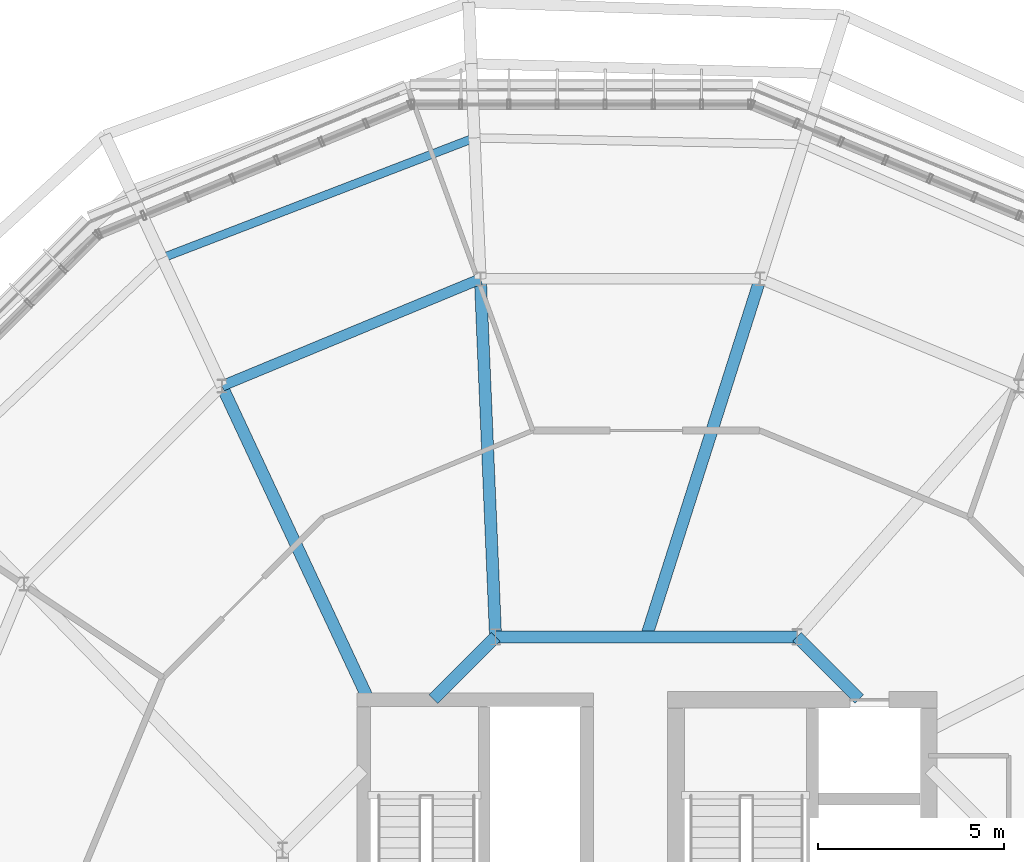
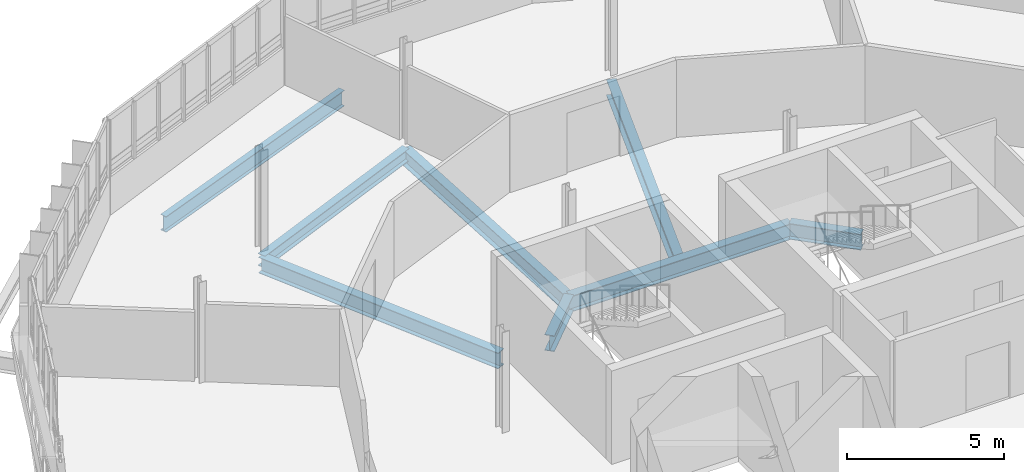
# One storey, part 17 of 38: 8 beams.
"""IFC4 building model written with IfcOpenShell, lengths in metres."""

from ifc_helpers import new_model, si_unit, derived_unit, direction, frame, origin, origin_2d, place, context, subcontext, project, spatial, i_section, extrude, material, material_profile, profile_set, type_object, element, save


model = new_model("IFC4")

# Units and contexts
model_context = context("Model", 3, precision=1e-05, world=origin(), true_north=direction((0.0, 1.0)))
body_context = subcontext(model_context, "Body", "Model", "MODEL_VIEW")
ifc_project = project(units=[si_unit("LENGTHUNIT", "METRE"), si_unit("AREAUNIT", "SQUARE_METRE"), si_unit("VOLUMEUNIT", "CUBIC_METRE"), si_unit("PLANEANGLEUNIT", "RADIAN"), si_unit("MASSUNIT", "GRAM", prefix="KILO"), derived_unit("THERMALTRANSMITTANCEUNIT", [(si_unit("MASSUNIT", "GRAM", prefix="KILO"), 1), (si_unit("TIMEUNIT", "SECOND"), -3), (si_unit("THERMODYNAMICTEMPERATUREUNIT", "KELVIN"), -1)])], contexts=[model_context])

# Site, building, storey
site_placement = place(None, origin())
site = spatial("IfcSite", under=ifc_project, at=site_placement, CompositionType="ELEMENT")
building_placement = place(site_placement, origin())
building = spatial("IfcBuilding", under=site, at=building_placement, Name="Makaiwela Harbour Ferry Terminal", CompositionType="ELEMENT")
storey_placement = place(building_placement, frame((0.0, 0.0, 17.699951171875)))
storey = spatial("IfcBuildingStorey", under=building, at=storey_placement, Name="L04", CompositionType="ELEMENT", Elevation=17.699951171875)

# Beams
ifc_material = material(Name="Steel ASTM A992 Grade 50", Category="steel")
ifc_material_profile_1 = material_profile(ifc_material, i_section(OverallWidth=0.324951171875, OverallDepth=0.615966796875, WebThickness=0.013916015625, FlangeThickness=0.021484375, at=origin_2d()), Name="W24X117")
ifc_profile_set_1 = profile_set([ifc_material_profile_1], Name="Steel ASTM A992 Grade 50")
beam_type_1 = type_object("IfcBeamType", Name="STR-GRD-W24X117", PredefinedType="USERDEFINED", material=ifc_profile_set_1)
beam_1_placement = place(storey_placement, frame((43.529541015625, 75.719970703125, -0.56298828125), z_axis=(-0.707106781187, 0.707106781187, 0.0), x_axis=(-0.707106781187, -0.707106781187, 0.0)))
element("IfcBeam", 1, at=beam_1_placement, inside=storey, type_object=beam_type_1, Name="Drum inner ring girder 371", ObjectType="GIRDER", PredefinedType="USERDEFINED", context=body_context, shape_type="SweptSolid", body=[
    extrude(i_section(OverallWidth=0.324951171875, OverallDepth=0.615966796875, WebThickness=0.013916015625, FlangeThickness=0.021484375, at=origin_2d()), origin(), (0.0, 0.0, 1.0), 2.3662109375),
])
beam_2_placement = place(storey_placement, frame((41.8564453125, 77.39306640625, -0.56298828125), z_axis=(-1.0, 0.0, 0.0), x_axis=(0.0, -1.0, 0.0)))
element("IfcBeam", 2, at=beam_2_placement, inside=storey, type_object=beam_type_1, Name="Drum inner ring girder 372", ObjectType="GIRDER", PredefinedType="USERDEFINED", context=body_context, shape_type="SweptSolid", body=[
    extrude(i_section(OverallWidth=0.324951171875, OverallDepth=0.615966796875, WebThickness=0.013916015625, FlangeThickness=0.021484375, at=origin_2d()), origin(), (0.0, 0.0, 1.0), 8.11279296875),
])
beam_3_placement = place(storey_placement, frame((33.74365234375, 77.39306640625, -0.56298828125), z_axis=(-0.707106781187, -0.707106781187, 0.0), x_axis=(0.707106781187, -0.707106781187, 0.0)))
element("IfcBeam", 3, at=beam_3_placement, inside=storey, type_object=beam_type_1, Name="Drum inner ring girder 373", ObjectType="GIRDER", PredefinedType="USERDEFINED", context=body_context, shape_type="SweptSolid", body=[
    extrude(i_section(OverallWidth=0.324951171875, OverallDepth=0.615966796875, WebThickness=0.013916015625, FlangeThickness=0.021484375, at=origin_2d()), origin(), (0.0, 0.0, 1.0), 2.3662109375),
])
beam_4_placement = place(storey_placement, frame((37.800048828125, 77.39306640625, -0.56298828125), z_axis=(0.303123932236, 0.952951143399, 0.0), x_axis=(-0.952951143399, 0.303123932236, 0.0)))
element("IfcBeam", 4, at=beam_4_placement, inside=storey, type_object=beam_type_1, Name="Drum radial girder 408", ObjectType="GIRDER", PredefinedType="USERDEFINED", context=body_context, shape_type="SweptSolid", body=[
    extrude(i_section(OverallWidth=0.324951171875, OverallDepth=0.615966796875, WebThickness=0.013916015625, FlangeThickness=0.021484375, at=origin_2d()), origin(), (0.0, 0.0, 1.0), 10.112060546875),
])
beam_5_placement = place(storey_placement, frame((33.74365234375, 77.39306640625, -0.56298828125), z_axis=(-0.042399132515, 0.999100752458, 0.0), x_axis=(-0.999100752458, -0.042399132515, 0.0)))
element("IfcBeam", 5, at=beam_5_placement, inside=storey, type_object=beam_type_1, Name="Drum radial girder 412", ObjectType="GIRDER", PredefinedType="USERDEFINED", context=body_context, shape_type="SweptSolid", body=[
    extrude(i_section(OverallWidth=0.324951171875, OverallDepth=0.615966796875, WebThickness=0.013916015625, FlangeThickness=0.021484375, at=origin_2d()), origin(), (0.0, 0.0, 1.0), 9.64501953125),
])
beam_6_placement = place(storey_placement, frame((30.30712890625, 75.739990234375, -0.56298828125), z_axis=(-0.423434085994, 0.905926914722, 0.0), x_axis=(-0.905926914722, -0.423434085994, 0.0)))
element("IfcBeam", 6, at=beam_6_placement, inside=storey, type_object=beam_type_1, Name="Drum radial girder 416", ObjectType="GIRDER", PredefinedType="USERDEFINED", context=body_context, shape_type="SweptSolid", body=[
    extrude(i_section(OverallWidth=0.324951171875, OverallDepth=0.615966796875, WebThickness=0.013916015625, FlangeThickness=0.021484375, at=origin_2d()), origin(), (0.0, 0.0, 1.0), 9.280517578125),
])
ifc_material_profile_2 = material_profile(ifc_material, i_section(OverallWidth=0.22900390625, OverallDepth=0.612060546875, WebThickness=0.011962890625, FlangeThickness=0.01953125, at=origin_2d()), Name="W24X84")
ifc_profile_set_2 = profile_set([ifc_material_profile_2], Name="Steel ASTM A992 Grade 50")
beam_type_2 = type_object("IfcBeamType", Name="STR-GRD-W24X84", PredefinedType="USERDEFINED", material=ifc_profile_set_2)
beam_7_placement = place(storey_placement, frame((33.173583984375, 90.82568359375, -0.56103515625), z_axis=(-0.933232382004, -0.359273323779, 0.0), x_axis=(0.359273323779, -0.933232382004, 0.0)))
element("IfcBeam", 7, at=beam_7_placement, inside=storey, type_object=beam_type_2, Name="Drum overhang tie girder 461", ObjectType="GIRDER", PredefinedType="USERDEFINED", context=body_context, shape_type="SweptSolid", body=[
    extrude(i_section(OverallWidth=0.22900390625, OverallDepth=0.612060546875, WebThickness=0.011962890625, FlangeThickness=0.01953125, at=origin_2d()), origin(), (0.0, 0.0, 1.0), 9.006591796875),
])
ifc_material_profile_3 = material_profile(ifc_material, i_section(OverallWidth=0.283935546875, OverallDepth=0.47607421875, WebThickness=0.014892578125, FlangeThickness=0.02392578125, at=origin_2d()), Name="W18X106")
ifc_profile_set_3 = profile_set([ifc_material_profile_3], Name="Steel ASTM A992 Grade 50")
beam_type_3 = type_object("IfcBeamType", Name="STR-SPN-W18X106", PredefinedType="SPANDREL", material=ifc_profile_set_3)
beam_8_placement = place(storey_placement, frame((33.334716796875, 87.029296875, -0.492919921875), z_axis=(-0.923877743092, -0.382687752376, 0.0), x_axis=(0.382687752376, -0.923877743092, 0.0)))
element("IfcBeam", 8, at=beam_8_placement, inside=storey, type_object=beam_type_3, Name="Drum column ring girder 385", PredefinedType="SPANDREL", context=body_context, shape_type="SweptSolid", body=[
    extrude(i_section(OverallWidth=0.283935546875, OverallDepth=0.47607421875, WebThickness=0.014892578125, FlangeThickness=0.02392578125, at=origin_2d()), origin(), (0.0, 0.0, 1.0), 7.530517578125),
])

save(model, "model.ifc")
